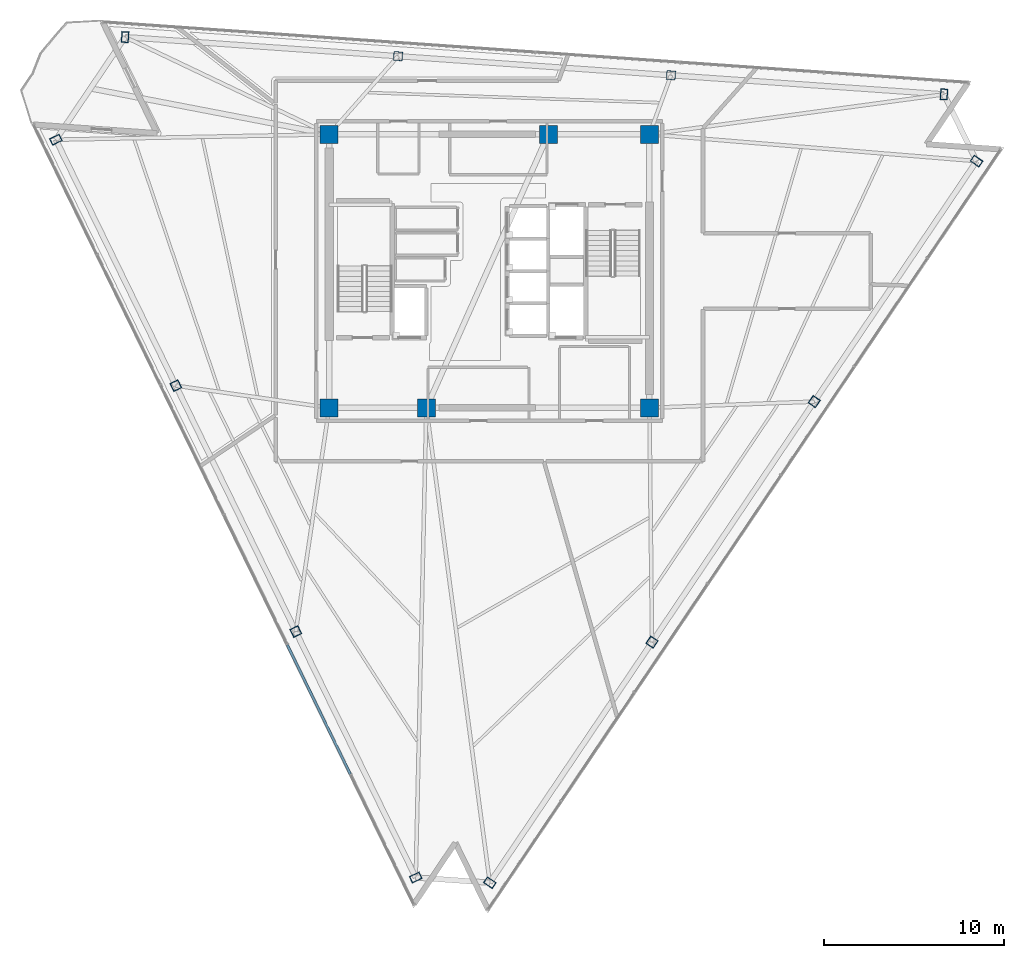
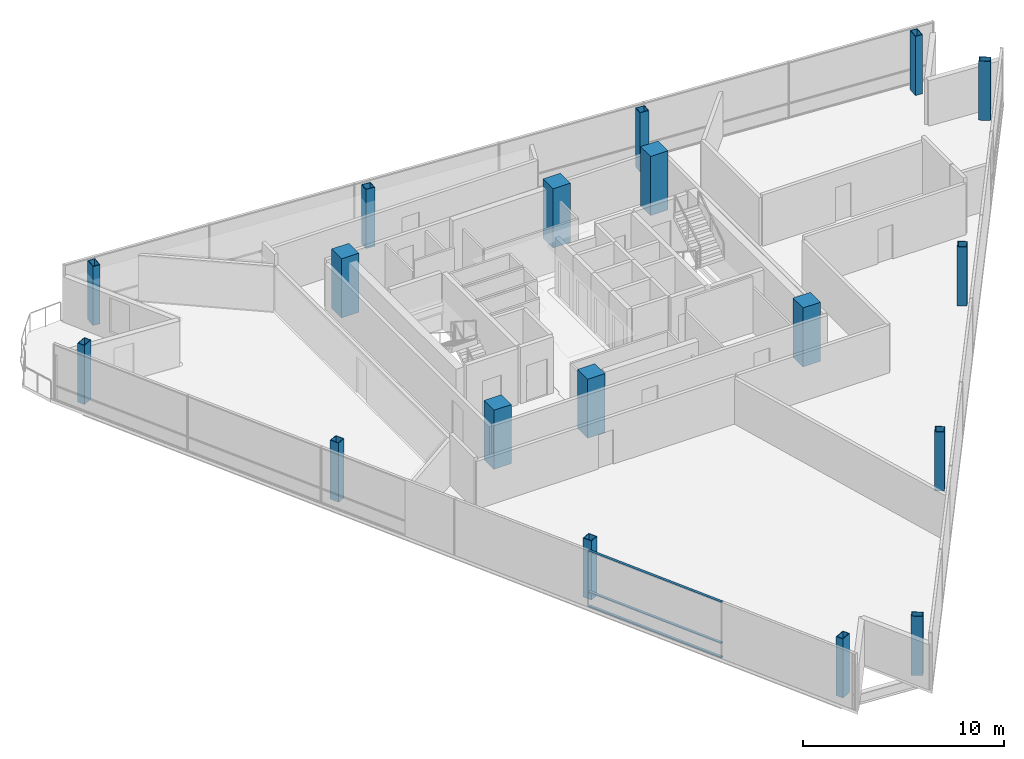
# One storey, part 1 of 14: 18 columns, 3 members, 1 element without a shape of its own.
"""IFC4 building model written with IfcOpenShell, lengths in metres."""

from ifc_helpers import new_model, si_unit, direction, frame, origin, origin_2d, place, context, subcontext, project, spatial, rectangle, hollow_rectangle, extrude, material, layer, layer_set, material_profile, profile_set, type_object, element, aggregate, save


model = new_model("IFC4")

# Units and contexts
model_context = context("Model", 3, precision=1e-05, world=origin(), true_north=direction((0.0, 1.0)))
body_context = subcontext(model_context, "Body", "Model", "MODEL_VIEW")
ifc_project = project(units=[si_unit("LENGTHUNIT", "METRE"), si_unit("AREAUNIT", "SQUARE_METRE"), si_unit("VOLUMEUNIT", "CUBIC_METRE"), si_unit("PLANEANGLEUNIT", "RADIAN"), si_unit("MASSUNIT", "GRAM", prefix="KILO")], contexts=[model_context])

# Site, building, storey
site_placement = place(None, origin())
site = spatial("IfcSite", under=ifc_project, at=site_placement, CompositionType="ELEMENT")
building_placement = place(site_placement, origin())
building = spatial("IfcBuilding", under=site, at=building_placement, Name="Tharavind Bronze Gate", CompositionType="ELEMENT")
storey_placement = place(building_placement, frame((0.0, 0.0, 230.64990234375)))
storey = spatial("IfcBuildingStorey", under=building, at=storey_placement, Name="L59", CompositionType="ELEMENT", Elevation=230.64990234375)

# Columns
ifc_material_1 = material(Name="Steel S460", Category="steel")
ifc_material_profile_1 = material_profile(ifc_material_1, hollow_rectangle(XDim=0.39990234375, YDim=0.60009765625, WallThickness=0.030029296875, at=origin_2d()), Name="RHS600X400X30")
ifc_profile_set_1 = profile_set([ifc_material_profile_1], Name="Steel S460")
column_type_1 = type_object("IfcColumnType", Name="CORNER NOTCH COLUMN RHS600X400", PredefinedType="COLUMN", material=ifc_profile_set_1)
for number, where, z_axis, x_axis, name in (
    (1, (-24.093505859375, 7.302001953125, 0.0), (0.0, 0.0, 1.0), (-0.438371146789, 0.898794046299, 0.0), "L59 perimeter column S1C1"),
    (2, (-4.090576171875, -33.710205078125, 0.0), (0.0, 0.0, 1.0), (-0.438371146789, 0.898794046299, 0.0), "L59 perimeter column S1C4"),
    (3, (0.02734375, -33.998046875, 0.0), (0.0, 0.0, 1.0), (0.559194350413, 0.829036596578, 0.0), "L59 perimeter column S2C1"),
    (4, (27.082275390625, 6.112548828125, 0.0), (0.0, 0.0, 1.0), (0.559194350413, 0.829036596578, 0.0), "L59 perimeter column S2C4"),
    (5, (25.272705078125, 9.82275390625, 0.0), (0.0, 0.0, 1.0), (-0.99756405026, 0.069756473744, 0.0), "L59 perimeter column S3C1"),
    (6, (-20.246337890625, 13.005615234375, 0.0), (0.0, 0.0, 1.0), (-0.99756405026, 0.069756473744, 0.0), "L59 perimeter column S3C4"),
):
    element("IfcColumn", number, at=place(storey_placement, frame(where, z_axis=z_axis, x_axis=x_axis)), inside=storey, type_object=column_type_1, Name=name, PredefinedType="COLUMN", context=body_context, shape_type="SweptSolid", body=[
        extrude(hollow_rectangle(XDim=0.39990234375, YDim=0.60009765625, WallThickness=0.030029296875, at=origin_2d()), origin(), (0.0, 0.0, 1.0), 3.60009765625),
    ])
ifc_material_2 = material(Name="Concrete C50/60", Category="concrete")
ifc_material_profile_2 = material_profile(ifc_material_2, rectangle(XDim=1.0, YDim=1.0, at=origin_2d()), Name="RCCOL1000")
ifc_profile_set_2 = profile_set([ifc_material_profile_2], Name="Concrete C50/60")
column_type_2 = type_object("IfcColumnType", Name="MEGA CORE COLUMN 1000", PredefinedType="COLUMN", material=ifc_profile_set_2)
for number, where, z_axis, x_axis, name in (
    (7, (-8.89990234375, -7.60009765625, 0.0), (0.0, 0.0, 1.0), (1.0, 0.0, 0.0), "L59 core mega column MC1"),
    (8, (-3.5, -7.60009765625, 0.0), (0.0, 0.0, 1.0), (1.0, 0.0, 0.0), "L59 core mega column MC2"),
    (9, (8.89990234375, -7.60009765625, 0.0), (0.0, 0.0, 1.0), (1.0, 0.0, 0.0), "L59 core mega column MC3"),
    (10, (8.89990234375, 7.60009765625, 0.0), (0.0, 0.0, 1.0), (1.0, 0.0, 0.0), "L59 core mega column MC4"),
    (11, (3.280029296875, 7.60009765625, 0.0), (0.0, 0.0, 1.0), (1.0, 0.0, 0.0), "L59 core mega column MC5"),
    (12, (-8.89990234375, 7.60009765625, 0.0), (0.0, 0.0, 1.0), (1.0, 0.0, 0.0), "L59 core mega column MC6"),
):
    element("IfcColumn", number, at=place(storey_placement, frame(where, z_axis=z_axis, x_axis=x_axis)), inside=storey, type_object=column_type_2, Name=name, PredefinedType="COLUMN", context=body_context, shape_type="SweptSolid", body=[
        extrude(rectangle(XDim=1.0, YDim=1.0, at=origin_2d()), origin(), (0.0, 0.0, 1.0), 3.60009765625),
    ])
ifc_material_profile_3 = material_profile(ifc_material_1, hollow_rectangle(XDim=0.5, YDim=0.5, WallThickness=0.031982421875, at=origin_2d()), Name="SHS500X32")
ifc_profile_set_3 = profile_set([ifc_material_profile_3], Name="Steel S460")
column_type_3 = type_object("IfcColumnType", Name="PERIMETER BOX COLUMN SHS500", PredefinedType="COLUMN", material=ifc_profile_set_3)
for number, where, z_axis, x_axis, name in (
    (13, (-17.42578125, -6.368896484375, 0.0), (0.0, 0.0, 1.0), (-0.438371146789, 0.898794046299, 0.0), "L59 perimeter column S1C2"),
    (14, (-10.75830078125, -20.039306640625, 0.0), (0.0, 0.0, 1.0), (-0.438371146789, 0.898794046299, 0.0), "L59 perimeter column S1C3"),
    (15, (9.045654296875, -20.627685546875, 0.0), (0.0, 0.0, 1.0), (0.559194350413, 0.829036596578, 0.0), "L59 perimeter column S2C2"),
    (16, (18.06396484375, -7.2578125, 0.0), (0.0, 0.0, 1.0), (0.559194350413, 0.829036596578, 0.0), "L59 perimeter column S2C3"),
    (17, (10.099609375, 10.8837890625, 0.0), (0.0, 0.0, 1.0), (-0.99756405026, 0.069756473744, 0.0), "L59 perimeter column S3C2"),
    (18, (-5.0732421875, 11.944580078125, 0.0), (0.0, 0.0, 1.0), (-0.99756405026, 0.069756473744, 0.0), "L59 perimeter column S3C3"),
):
    element("IfcColumn", number, at=place(storey_placement, frame(where, z_axis=z_axis, x_axis=x_axis)), inside=storey, type_object=column_type_3, Name=name, PredefinedType="COLUMN", context=body_context, shape_type="SweptSolid", body=[
        extrude(hollow_rectangle(XDim=0.5, YDim=0.5, WallThickness=0.031982421875, at=origin_2d()), origin(), (0.0, 0.0, 1.0), 3.60009765625),
    ])

# Curtain wall, members
ifc_material_3 = material(Name="Anodised Bronze Aluminium", Category="aluminium")
ifc_layer = layer(ifc_material_3, 0.219970703125)
ifc_layer_set = layer_set([ifc_layer], Name="Anodised Bronze Aluminium")
curtain_wall_type = type_object("IfcCurtainWallType", Name="UNITISED CURTAIN WALL UPPER OFFICE", PredefinedType="USERDEFINED", material=ifc_layer_set)
curtain_wall_placement = place(storey_placement, origin())
curtain_wall = element("IfcCurtainWall", 19, at=curtain_wall_placement, inside=storey, type_object=curtain_wall_type, Name="L59 unitised curtain wall upper office CW-L59-S1", ObjectType="UNITISED CURTAIN WALL", PredefinedType="USERDEFINED")
member_type = type_object("IfcMemberType", Name="CURTAIN WALL BRONZE TRANSOM 65X140", PredefinedType="USERDEFINED", material=ifc_material_3)
member_1_placement = place(storey_placement, frame((-9.480712890625, -24.36962890625, 0.000244140625), z_axis=(0.0, 0.0, 1.0), x_axis=(0.438371146789, -0.898794046299, 0.0)))
member_1 = element("IfcMember", 20, at=member_1_placement, type_object=member_type, Name="CW-L59-S1 transom TB5", ObjectType="TRANSOM", PredefinedType="USERDEFINED", context=body_context, shape_type="SweptSolid", body=[
    extrude(rectangle(XDim=7.985107421875, YDim=0.139892578125, at=origin_2d()), origin(), (0.0, 0.0, 1.0), 0.06494140625),
])
member_2_placement = place(storey_placement, frame((-9.480712890625, -24.36962890625, 0.86767578125), z_axis=(0.0, 0.0, 1.0), x_axis=(0.438371146789, -0.898794046299, 0.0)))
member_2 = element("IfcMember", 21, at=member_2_placement, type_object=member_type, Name="CW-L59-S1 transom TS5", ObjectType="TRANSOM", PredefinedType="USERDEFINED", context=body_context, shape_type="SweptSolid", body=[
    extrude(rectangle(XDim=7.985107421875, YDim=0.139892578125, at=origin_2d()), origin(), (0.0, 0.0, 1.0), 0.06494140625),
])
member_3_placement = place(storey_placement, frame((-9.480712890625, -24.36962890625, 3.355224609375), z_axis=(0.0, 0.0, 1.0), x_axis=(0.438371146789, -0.898794046299, 0.0)))
member_3 = element("IfcMember", 22, at=member_3_placement, type_object=member_type, Name="CW-L59-S1 transom TT5", ObjectType="TRANSOM", PredefinedType="USERDEFINED", context=body_context, shape_type="SweptSolid", body=[
    extrude(rectangle(XDim=7.985107421875, YDim=0.139892578125, at=origin_2d()), origin(), (0.0, 0.0, 1.0), 0.06494140625),
])
aggregate(curtain_wall, [member_1, member_2, member_3])

save(model, "model.ifc")
